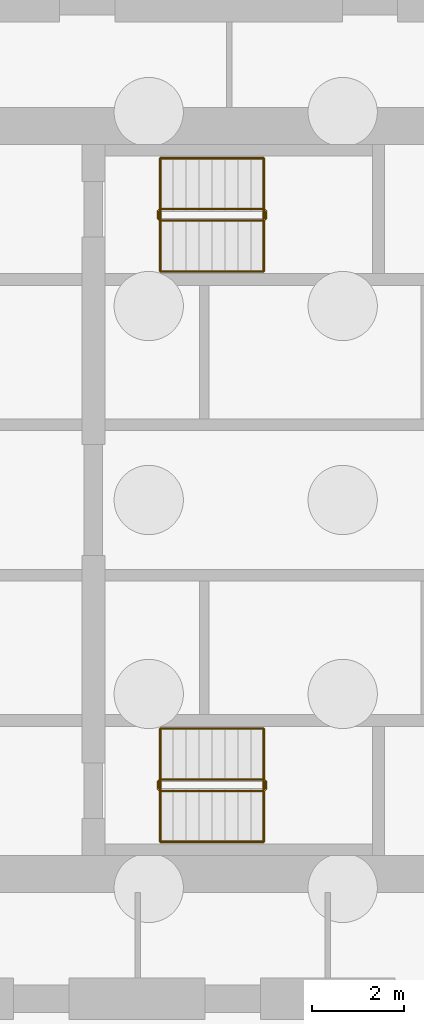
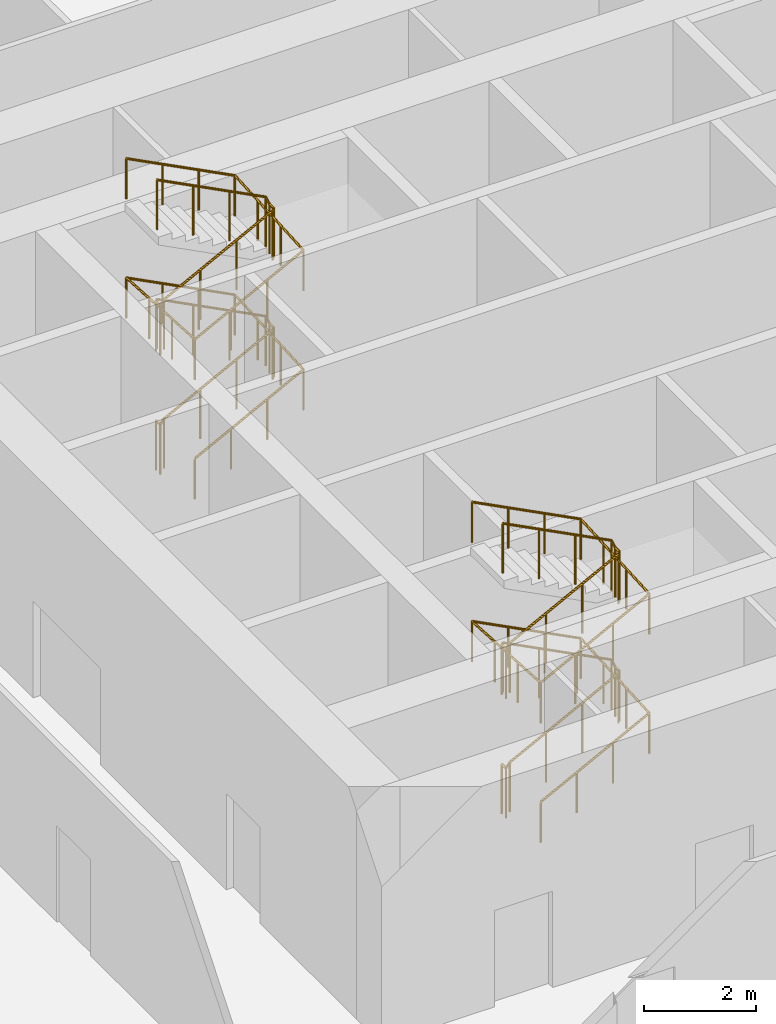
# One storey, part 6 of 6: 4 railings.
"""IFC4 building model written with IfcOpenShell, lengths in metres."""

from ifc_helpers import new_model, si_unit, direction, frame, origin, origin_2d, place, context, subcontext, project, spatial, circle, extrude, material, type_object, element, save


model = new_model("IFC4")

# Units and contexts
model_context = context("Model", 3, precision=1e-05, world=origin(), true_north=direction((0.0, 1.0)))
body_context = subcontext(model_context, "Body", "Model", "MODEL_VIEW")
ifc_project = project(units=[si_unit("LENGTHUNIT", "METRE"), si_unit("AREAUNIT", "SQUARE_METRE"), si_unit("VOLUMEUNIT", "CUBIC_METRE"), si_unit("PLANEANGLEUNIT", "RADIAN"), si_unit("MASSUNIT", "GRAM", prefix="KILO")], contexts=[model_context])

# Site, building, storey
site_placement = place(None, origin())
site = spatial("IfcSite", under=ifc_project, at=site_placement, CompositionType="ELEMENT")
building_placement = place(site_placement, origin())
building = spatial("IfcBuilding", under=site, at=building_placement, Name="Frailejon Research Tower", CompositionType="ELEMENT")
storey_placement = place(building_placement, frame((0.0, 0.0, -5.199951171875)))
storey = spatial("IfcBuildingStorey", under=building, at=storey_placement, Name="B1", CompositionType="ELEMENT", Elevation=-5.199951171875)

# Railings
ifc_material_1 = material(Name="Stainless steel", Category="steel")
railing_type_1 = type_object("IfcRailingType", Name="Stair guard 1100", PredefinedType="GUARDRAIL", material=ifc_material_1)
railing_1_placement = place(storey_placement, frame((-8.199951171875, 6.25, 0.0)))
element("IfcRailing", 1, at=railing_1_placement, inside=storey, type_object=railing_type_1, Name="B1 ST1 stair guard 1", PredefinedType="GUARDRAIL", context=body_context, shape_type="SweptSolid", body=[
    extrude(circle(Radius=0.02392578125, at=origin_2d()), frame((0.0, 0.0, 1.076171875), z_axis=(0.0, -1.0, 0.0), x_axis=(1.0, 0.0, 0.0)), (0.0, 0.0, 1.0), 0.14990234375),
    extrude(circle(Radius=0.02392578125, at=origin_2d()), frame((0.0, -0.14990234375, 1.076171875), z_axis=(0.311418193813, -0.311418193813, 0.897795866066), x_axis=(0.707106781187, 0.707106781187, 0.0)), (0.0, 0.0, 1.0), 0.16064453125),
    extrude(circle(Radius=0.02392578125, at=origin_2d()), frame((0.050048828125, -0.199951171875, 1.22021484375), z_axis=(0.888679226681, 0.0, 0.458529423336), x_axis=(0.0, 1.0, 0.0)), (0.0, 0.0, 1.0), 2.5205078125),
    extrude(circle(Radius=0.02392578125, at=origin_2d()), frame((2.2900390625, -0.199951171875, 2.3759765625), z_axis=(0.705375805398, 0.708833529934, 0.0), x_axis=(-0.708833529934, 0.705375805398, 0.0)), (0.0, 0.0, 1.0), 0.070556640625),
    extrude(circle(Radius=0.02392578125, at=origin_2d()), frame((2.33984375, -0.14990234375, 2.3759765625), z_axis=(0.0, 1.0, 0.0), x_axis=(-1.0, 0.0, 0.0)), (0.0, 0.0, 1.0), 0.14990234375),
    extrude(circle(Radius=0.02392578125, at=origin_2d()), frame((2.33984375, 0.0, 2.3759765625), z_axis=(-0.310045433597, 0.311565264154, 0.898219859098), x_axis=(-0.708833529934, -0.705375805398, 0.0)), (0.0, 0.0, 1.0), 0.16064453125),
    extrude(circle(Radius=0.02392578125, at=origin_2d()), frame((2.2900390625, 0.050048828125, 2.5205078125), z_axis=(-0.888718693694, 0.0, 0.458452923951), x_axis=(0.0, -1.0, 0.0)), (0.0, 0.0, 1.0), 2.5205078125),
    extrude(circle(Radius=0.02392578125, at=origin_2d()), frame((0.050048828125, 0.050048828125, 3.67578125), z_axis=(-0.707106781187, -0.707106781187, 0.0), x_axis=(0.707106781187, -0.707106781187, 0.0)), (0.0, 0.0, 1.0), 0.07080078125),
    extrude(circle(Radius=0.02392578125, at=origin_2d()), frame((0.0, 0.0, 3.67578125), z_axis=(0.0, -1.0, 0.0), x_axis=(1.0, 0.0, 0.0)), (0.0, 0.0, 1.0), 0.14990234375),
    extrude(circle(Radius=0.02392578125, at=origin_2d()), frame((0.0, -0.14990234375, 3.67578125), z_axis=(0.310993974087, -0.310993974087, 0.898089915411), x_axis=(0.707106781187, 0.707106781187, 0.0)), (0.0, 0.0, 1.0), 0.160888671875),
    extrude(circle(Radius=0.02392578125, at=origin_2d()), frame((0.050048828125, -0.199951171875, 3.8203125), z_axis=(0.888718693694, 0.0, 0.458452923951), x_axis=(0.0, 1.0, 0.0)), (0.0, 0.0, 1.0), 2.5205078125),
    extrude(circle(Radius=0.02392578125, at=origin_2d()), frame((2.2900390625, -0.199951171875, 4.97607421875), z_axis=(0.705375805398, 0.708833529934, 0.0), x_axis=(-0.708833529934, 0.705375805398, 0.0)), (0.0, 0.0, 1.0), 0.070556640625),
    extrude(circle(Radius=0.02392578125, at=origin_2d()), frame((2.33984375, -0.14990234375, 4.97607421875), z_axis=(0.0, 1.0, 0.0), x_axis=(-1.0, 0.0, 0.0)), (0.0, 0.0, 1.0), 0.14990234375),
    extrude(circle(Radius=0.02392578125, at=origin_2d()), frame((2.33984375, 0.0, 4.97607421875), z_axis=(-0.309622685675, 0.311140443938, 0.898512891762), x_axis=(-0.708833529934, -0.705375805398, 0.0)), (0.0, 0.0, 1.0), 0.160888671875),
    extrude(circle(Radius=0.02392578125, at=origin_2d()), frame((2.2900390625, 0.050048828125, 5.12060546875), z_axis=(-0.888718693694, 0.0, 0.458452923951), x_axis=(0.0, -1.0, 0.0)), (0.0, 0.0, 1.0), 2.5205078125),
    extrude(circle(Radius=0.02099609375, at=origin_2d()), origin(), (0.0, 0.0, 1.0), 1.052001953125),
    extrude(circle(Radius=0.02099609375, at=origin_2d()), frame((0.0, -0.14990234375, 0.0)), (0.0, 0.0, 1.0), 1.052001953125),
    extrude(circle(Radius=0.02099609375, at=origin_2d()), frame((0.050048828125, -0.199951171875, 0.144287109375)), (0.0, 0.0, 1.0), 1.052001953125),
    extrude(circle(Radius=0.02099609375, at=origin_2d()), frame((0.796630859375, -0.199951171875, 0.529541015625)), (0.0, 0.0, 1.0), 1.052001953125),
    extrude(circle(Radius=0.02099609375, at=origin_2d()), frame((1.54345703125, -0.199951171875, 0.914794921875)), (0.0, 0.0, 1.0), 1.052001953125),
    extrude(circle(Radius=0.02099609375, at=origin_2d()), frame((2.2900390625, -0.199951171875, 1.300048828125)), (0.0, 0.0, 1.0), 1.052001953125),
    extrude(circle(Radius=0.02099609375, at=origin_2d()), frame((2.33984375, -0.14990234375, 1.300048828125)), (0.0, 0.0, 1.0), 1.052001953125),
    extrude(circle(Radius=0.02099609375, at=origin_2d()), frame((2.33984375, 0.0, 1.300048828125)), (0.0, 0.0, 1.0), 1.052001953125),
    extrude(circle(Radius=0.02099609375, at=origin_2d()), frame((2.2900390625, 0.050048828125, 1.4443359375)), (0.0, 0.0, 1.0), 1.052001953125),
    extrude(circle(Radius=0.02099609375, at=origin_2d()), frame((1.54345703125, 0.050048828125, 1.82958984375)), (0.0, 0.0, 1.0), 1.052001953125),
    extrude(circle(Radius=0.02099609375, at=origin_2d()), frame((0.796630859375, 0.050048828125, 2.214599609375)), (0.0, 0.0, 1.0), 1.052001953125),
    extrude(circle(Radius=0.02099609375, at=origin_2d()), frame((0.050048828125, 0.050048828125, 2.599853515625)), (0.0, 0.0, 1.0), 1.052001953125),
    extrude(circle(Radius=0.02099609375, at=origin_2d()), frame((0.0, 0.0, 2.599853515625)), (0.0, 0.0, 1.0), 1.052001953125),
    extrude(circle(Radius=0.02099609375, at=origin_2d()), frame((0.0, -0.14990234375, 2.599853515625)), (0.0, 0.0, 1.0), 1.052001953125),
    extrude(circle(Radius=0.02099609375, at=origin_2d()), frame((0.050048828125, -0.199951171875, 2.744384765625)), (0.0, 0.0, 1.0), 1.052001953125),
    extrude(circle(Radius=0.02099609375, at=origin_2d()), frame((0.796630859375, -0.199951171875, 3.129638671875)), (0.0, 0.0, 1.0), 1.052001953125),
    extrude(circle(Radius=0.02099609375, at=origin_2d()), frame((1.54345703125, -0.199951171875, 3.5146484375)), (0.0, 0.0, 1.0), 1.052001953125),
    extrude(circle(Radius=0.02099609375, at=origin_2d()), frame((2.2900390625, -0.199951171875, 3.89990234375)), (0.0, 0.0, 1.0), 1.052001953125),
    extrude(circle(Radius=0.02099609375, at=origin_2d()), frame((2.33984375, -0.14990234375, 3.89990234375)), (0.0, 0.0, 1.0), 1.052001953125),
    extrude(circle(Radius=0.02099609375, at=origin_2d()), frame((2.33984375, 0.0, 3.89990234375)), (0.0, 0.0, 1.0), 1.052001953125),
    extrude(circle(Radius=0.02099609375, at=origin_2d()), frame((2.2900390625, 0.050048828125, 4.04443359375)), (0.0, 0.0, 1.0), 1.052001953125),
    extrude(circle(Radius=0.02099609375, at=origin_2d()), frame((1.54345703125, 0.050048828125, 4.4296875)), (0.0, 0.0, 1.0), 1.052001953125),
    extrude(circle(Radius=0.02099609375, at=origin_2d()), frame((0.796630859375, 0.050048828125, 4.814697265625)), (0.0, 0.0, 1.0), 1.052001953125),
    extrude(circle(Radius=0.02099609375, at=origin_2d()), frame((0.050048828125, 0.050048828125, 5.199951171875)), (0.0, 0.0, 1.0), 1.052001953125),
])
railing_2_placement = place(storey_placement, frame((-8.199951171875, -6.10009765625, 0.0)))
element("IfcRailing", 2, at=railing_2_placement, inside=storey, type_object=railing_type_1, Name="B1 ST2 stair guard 1", PredefinedType="GUARDRAIL", context=body_context, shape_type="SweptSolid", body=[
    extrude(circle(Radius=0.02392578125, at=origin_2d()), frame((0.0, 0.0, 1.076171875), z_axis=(0.0, -1.0, 0.0), x_axis=(1.0, 0.0, 0.0)), (0.0, 0.0, 1.0), 0.14990234375),
    extrude(circle(Radius=0.02392578125, at=origin_2d()), frame((0.0, -0.14990234375, 1.076171875), z_axis=(0.311418193813, -0.311418193813, 0.897795866066), x_axis=(0.707106781187, 0.707106781187, 0.0)), (0.0, 0.0, 1.0), 0.16064453125),
    extrude(circle(Radius=0.02392578125, at=origin_2d()), frame((0.050048828125, -0.199951171875, 1.22021484375), z_axis=(0.888679226681, 0.0, 0.458529423336), x_axis=(0.0, 1.0, 0.0)), (0.0, 0.0, 1.0), 2.5205078125),
    extrude(circle(Radius=0.02392578125, at=origin_2d()), frame((2.2900390625, -0.199951171875, 2.3759765625), z_axis=(0.705375805398, 0.708833529934, 0.0), x_axis=(-0.708833529934, 0.705375805398, 0.0)), (0.0, 0.0, 1.0), 0.070556640625),
    extrude(circle(Radius=0.02392578125, at=origin_2d()), frame((2.33984375, -0.14990234375, 2.3759765625), z_axis=(0.0, 1.0, 0.0), x_axis=(-1.0, 0.0, 0.0)), (0.0, 0.0, 1.0), 0.14990234375),
    extrude(circle(Radius=0.02392578125, at=origin_2d()), frame((2.33984375, 0.0, 2.3759765625), z_axis=(-0.310045433597, 0.311565264154, 0.898219859098), x_axis=(-0.708833529934, -0.705375805398, 0.0)), (0.0, 0.0, 1.0), 0.16064453125),
    extrude(circle(Radius=0.02392578125, at=origin_2d()), frame((2.2900390625, 0.050048828125, 2.5205078125), z_axis=(-0.888718693694, 0.0, 0.458452923951), x_axis=(0.0, -1.0, 0.0)), (0.0, 0.0, 1.0), 2.5205078125),
    extrude(circle(Radius=0.02392578125, at=origin_2d()), frame((0.050048828125, 0.050048828125, 3.67578125), z_axis=(-0.707106781187, -0.707106781187, 0.0), x_axis=(0.707106781187, -0.707106781187, 0.0)), (0.0, 0.0, 1.0), 0.07080078125),
    extrude(circle(Radius=0.02392578125, at=origin_2d()), frame((0.0, 0.0, 3.67578125), z_axis=(0.0, -1.0, 0.0), x_axis=(1.0, 0.0, 0.0)), (0.0, 0.0, 1.0), 0.14990234375),
    extrude(circle(Radius=0.02392578125, at=origin_2d()), frame((0.0, -0.14990234375, 3.67578125), z_axis=(0.310993974087, -0.310993974087, 0.898089915411), x_axis=(0.707106781187, 0.707106781187, 0.0)), (0.0, 0.0, 1.0), 0.160888671875),
    extrude(circle(Radius=0.02392578125, at=origin_2d()), frame((0.050048828125, -0.199951171875, 3.8203125), z_axis=(0.888718693694, 0.0, 0.458452923951), x_axis=(0.0, 1.0, 0.0)), (0.0, 0.0, 1.0), 2.5205078125),
    extrude(circle(Radius=0.02392578125, at=origin_2d()), frame((2.2900390625, -0.199951171875, 4.97607421875), z_axis=(0.705375805398, 0.708833529934, 0.0), x_axis=(-0.708833529934, 0.705375805398, 0.0)), (0.0, 0.0, 1.0), 0.070556640625),
    extrude(circle(Radius=0.02392578125, at=origin_2d()), frame((2.33984375, -0.14990234375, 4.97607421875), z_axis=(0.0, 1.0, 0.0), x_axis=(-1.0, 0.0, 0.0)), (0.0, 0.0, 1.0), 0.14990234375),
    extrude(circle(Radius=0.02392578125, at=origin_2d()), frame((2.33984375, 0.0, 4.97607421875), z_axis=(-0.309622685675, 0.311140443938, 0.898512891762), x_axis=(-0.708833529934, -0.705375805398, 0.0)), (0.0, 0.0, 1.0), 0.160888671875),
    extrude(circle(Radius=0.02392578125, at=origin_2d()), frame((2.2900390625, 0.050048828125, 5.12060546875), z_axis=(-0.888718693694, 0.0, 0.458452923951), x_axis=(0.0, -1.0, 0.0)), (0.0, 0.0, 1.0), 2.5205078125),
    extrude(circle(Radius=0.02099609375, at=origin_2d()), origin(), (0.0, 0.0, 1.0), 1.052001953125),
    extrude(circle(Radius=0.02099609375, at=origin_2d()), frame((0.0, -0.14990234375, 0.0)), (0.0, 0.0, 1.0), 1.052001953125),
    extrude(circle(Radius=0.02099609375, at=origin_2d()), frame((0.050048828125, -0.199951171875, 0.144287109375)), (0.0, 0.0, 1.0), 1.052001953125),
    extrude(circle(Radius=0.02099609375, at=origin_2d()), frame((0.796630859375, -0.199951171875, 0.529541015625)), (0.0, 0.0, 1.0), 1.052001953125),
    extrude(circle(Radius=0.02099609375, at=origin_2d()), frame((1.54345703125, -0.199951171875, 0.914794921875)), (0.0, 0.0, 1.0), 1.052001953125),
    extrude(circle(Radius=0.02099609375, at=origin_2d()), frame((2.2900390625, -0.199951171875, 1.300048828125)), (0.0, 0.0, 1.0), 1.052001953125),
    extrude(circle(Radius=0.02099609375, at=origin_2d()), frame((2.33984375, -0.14990234375, 1.300048828125)), (0.0, 0.0, 1.0), 1.052001953125),
    extrude(circle(Radius=0.02099609375, at=origin_2d()), frame((2.33984375, 0.0, 1.300048828125)), (0.0, 0.0, 1.0), 1.052001953125),
    extrude(circle(Radius=0.02099609375, at=origin_2d()), frame((2.2900390625, 0.050048828125, 1.4443359375)), (0.0, 0.0, 1.0), 1.052001953125),
    extrude(circle(Radius=0.02099609375, at=origin_2d()), frame((1.54345703125, 0.050048828125, 1.82958984375)), (0.0, 0.0, 1.0), 1.052001953125),
    extrude(circle(Radius=0.02099609375, at=origin_2d()), frame((0.796630859375, 0.050048828125, 2.214599609375)), (0.0, 0.0, 1.0), 1.052001953125),
    extrude(circle(Radius=0.02099609375, at=origin_2d()), frame((0.050048828125, 0.050048828125, 2.599853515625)), (0.0, 0.0, 1.0), 1.052001953125),
    extrude(circle(Radius=0.02099609375, at=origin_2d()), frame((0.0, 0.0, 2.599853515625)), (0.0, 0.0, 1.0), 1.052001953125),
    extrude(circle(Radius=0.02099609375, at=origin_2d()), frame((0.0, -0.14990234375, 2.599853515625)), (0.0, 0.0, 1.0), 1.052001953125),
    extrude(circle(Radius=0.02099609375, at=origin_2d()), frame((0.050048828125, -0.199951171875, 2.744384765625)), (0.0, 0.0, 1.0), 1.052001953125),
    extrude(circle(Radius=0.02099609375, at=origin_2d()), frame((0.796630859375, -0.199951171875, 3.129638671875)), (0.0, 0.0, 1.0), 1.052001953125),
    extrude(circle(Radius=0.02099609375, at=origin_2d()), frame((1.54345703125, -0.199951171875, 3.5146484375)), (0.0, 0.0, 1.0), 1.052001953125),
    extrude(circle(Radius=0.02099609375, at=origin_2d()), frame((2.2900390625, -0.199951171875, 3.89990234375)), (0.0, 0.0, 1.0), 1.052001953125),
    extrude(circle(Radius=0.02099609375, at=origin_2d()), frame((2.33984375, -0.14990234375, 3.89990234375)), (0.0, 0.0, 1.0), 1.052001953125),
    extrude(circle(Radius=0.02099609375, at=origin_2d()), frame((2.33984375, 0.0, 3.89990234375)), (0.0, 0.0, 1.0), 1.052001953125),
    extrude(circle(Radius=0.02099609375, at=origin_2d()), frame((2.2900390625, 0.050048828125, 4.04443359375)), (0.0, 0.0, 1.0), 1.052001953125),
    extrude(circle(Radius=0.02099609375, at=origin_2d()), frame((1.54345703125, 0.050048828125, 4.4296875)), (0.0, 0.0, 1.0), 1.052001953125),
    extrude(circle(Radius=0.02099609375, at=origin_2d()), frame((0.796630859375, 0.050048828125, 4.814697265625)), (0.0, 0.0, 1.0), 1.052001953125),
    extrude(circle(Radius=0.02099609375, at=origin_2d()), frame((0.050048828125, 0.050048828125, 5.199951171875)), (0.0, 0.0, 1.0), 1.052001953125),
])
ifc_material_2 = material(Name="Stainless steel", Category="steel")
railing_type_2 = type_object("IfcRailingType", Name="Stair handrail 900", PredefinedType="HANDRAIL", material=ifc_material_2)
railing_3_placement = place(storey_placement, frame((-8.14990234375, 4.949951171875, 0.144287109375)))
element("IfcRailing", 3, at=railing_3_placement, inside=storey, type_object=railing_type_2, Name="B1 ST1 stair handrail 1", PredefinedType="HANDRAIL", context=body_context, shape_type="SweptSolid", body=[
    extrude(circle(Radius=0.02392578125, at=origin_2d()), frame((0.0, 0.0, 0.8759765625), z_axis=(0.888679226681, 0.0, 0.458529423336), x_axis=(0.0, 1.0, 0.0)), (0.0, 0.0, 1.0), 2.5205078125),
    extrude(circle(Radius=0.02392578125, at=origin_2d()), frame((2.239990234375, 0.0, 2.03173828125), z_axis=(0.0, 0.998270254356, 0.058792000032), x_axis=(-1.0, 0.0, 0.0)), (0.0, 0.0, 1.0), 2.4541015625),
    extrude(circle(Radius=0.02392578125, at=origin_2d()), frame((2.239990234375, 2.449951171875, 2.17578125), z_axis=(-0.888718693694, 0.0, 0.458452923951), x_axis=(0.0, -1.0, 0.0)), (0.0, 0.0, 1.0), 2.5205078125),
    extrude(circle(Radius=0.02392578125, at=origin_2d()), frame((0.0, 2.449951171875, 3.33154296875), z_axis=(0.0, -0.998264411024, 0.058891134163), x_axis=(1.0, 0.0, 0.0)), (0.0, 0.0, 1.0), 2.4541015625),
    extrude(circle(Radius=0.02392578125, at=origin_2d()), frame((0.0, 0.0, 3.47607421875), z_axis=(0.888718693694, 0.0, 0.458452923951), x_axis=(0.0, 1.0, 0.0)), (0.0, 0.0, 1.0), 2.5205078125),
    extrude(circle(Radius=0.02392578125, at=origin_2d()), frame((2.239990234375, 0.0, 4.63134765625), z_axis=(0.0, 0.998264411024, 0.058891134163), x_axis=(-1.0, 0.0, 0.0)), (0.0, 0.0, 1.0), 2.4541015625),
    extrude(circle(Radius=0.02392578125, at=origin_2d()), frame((2.239990234375, 2.449951171875, 4.77587890625), z_axis=(-0.888718693694, 0.0, 0.458452923951), x_axis=(0.0, -1.0, 0.0)), (0.0, 0.0, 1.0), 2.5205078125),
    extrude(circle(Radius=0.02099609375, at=origin_2d()), origin(), (0.0, 0.0, 1.0), 0.851806640625),
    extrude(circle(Radius=0.02099609375, at=origin_2d()), frame((0.74658203125, 0.0, 0.38525390625)), (0.0, 0.0, 1.0), 0.851806640625),
    extrude(circle(Radius=0.02099609375, at=origin_2d()), frame((1.493408203125, 0.0, 0.7705078125)), (0.0, 0.0, 1.0), 0.851806640625),
    extrude(circle(Radius=0.02099609375, at=origin_2d()), frame((2.239990234375, 0.0, 1.15576171875)), (0.0, 0.0, 1.0), 0.851806640625),
    extrude(circle(Radius=0.02099609375, at=origin_2d()), frame((2.239990234375, 0.816650390625, 1.203857421875)), (0.0, 0.0, 1.0), 0.851806640625),
    extrude(circle(Radius=0.02099609375, at=origin_2d()), frame((2.239990234375, 1.63330078125, 1.251953125)), (0.0, 0.0, 1.0), 0.851806640625),
    extrude(circle(Radius=0.02099609375, at=origin_2d()), frame((2.239990234375, 2.449951171875, 1.300048828125)), (0.0, 0.0, 1.0), 0.851806640625),
    extrude(circle(Radius=0.02099609375, at=origin_2d()), frame((1.493408203125, 2.449951171875, 1.685302734375)), (0.0, 0.0, 1.0), 0.851806640625),
    extrude(circle(Radius=0.02099609375, at=origin_2d()), frame((0.74658203125, 2.449951171875, 2.0703125)), (0.0, 0.0, 1.0), 0.851806640625),
    extrude(circle(Radius=0.02099609375, at=origin_2d()), frame((0.0, 2.449951171875, 2.45556640625)), (0.0, 0.0, 1.0), 0.851806640625),
    extrude(circle(Radius=0.02099609375, at=origin_2d()), frame((0.0, 1.63330078125, 2.503662109375)), (0.0, 0.0, 1.0), 0.851806640625),
    extrude(circle(Radius=0.02099609375, at=origin_2d()), frame((0.0, 0.816650390625, 2.552001953125)), (0.0, 0.0, 1.0), 0.851806640625),
    extrude(circle(Radius=0.02099609375, at=origin_2d()), frame((0.0, 0.0, 2.60009765625)), (0.0, 0.0, 1.0), 0.851806640625),
    extrude(circle(Radius=0.02099609375, at=origin_2d()), frame((0.74658203125, 0.0, 2.9853515625)), (0.0, 0.0, 1.0), 0.851806640625),
    extrude(circle(Radius=0.02099609375, at=origin_2d()), frame((1.493408203125, 0.0, 3.370361328125)), (0.0, 0.0, 1.0), 0.851806640625),
    extrude(circle(Radius=0.02099609375, at=origin_2d()), frame((2.239990234375, 0.0, 3.755615234375)), (0.0, 0.0, 1.0), 0.851806640625),
    extrude(circle(Radius=0.02099609375, at=origin_2d()), frame((2.239990234375, 0.816650390625, 3.8037109375)), (0.0, 0.0, 1.0), 0.851806640625),
    extrude(circle(Radius=0.02099609375, at=origin_2d()), frame((2.239990234375, 1.63330078125, 3.85205078125)), (0.0, 0.0, 1.0), 0.851806640625),
    extrude(circle(Radius=0.02099609375, at=origin_2d()), frame((2.239990234375, 2.449951171875, 3.900146484375)), (0.0, 0.0, 1.0), 0.851806640625),
    extrude(circle(Radius=0.02099609375, at=origin_2d()), frame((1.493408203125, 2.449951171875, 4.285400390625)), (0.0, 0.0, 1.0), 0.851806640625),
    extrude(circle(Radius=0.02099609375, at=origin_2d()), frame((0.74658203125, 2.449951171875, 4.67041015625)), (0.0, 0.0, 1.0), 0.851806640625),
    extrude(circle(Radius=0.02099609375, at=origin_2d()), frame((0.0, 2.449951171875, 5.0556640625)), (0.0, 0.0, 1.0), 0.851806640625),
])
railing_4_placement = place(storey_placement, frame((-8.14990234375, -7.39990234375, 0.144287109375)))
element("IfcRailing", 4, at=railing_4_placement, inside=storey, type_object=railing_type_2, Name="B1 ST2 stair handrail 1", PredefinedType="HANDRAIL", context=body_context, shape_type="SweptSolid", body=[
    extrude(circle(Radius=0.02392578125, at=origin_2d()), frame((0.0, 0.0, 0.8759765625), z_axis=(0.888679226681, 0.0, 0.458529423336), x_axis=(0.0, 1.0, 0.0)), (0.0, 0.0, 1.0), 2.5205078125),
    extrude(circle(Radius=0.02392578125, at=origin_2d()), frame((2.239990234375, 0.0, 2.03173828125), z_axis=(0.0, 0.998270254356, 0.058792000032), x_axis=(-1.0, 0.0, 0.0)), (0.0, 0.0, 1.0), 2.4541015625),
    extrude(circle(Radius=0.02392578125, at=origin_2d()), frame((2.239990234375, 2.449951171875, 2.17578125), z_axis=(-0.888718693694, 0.0, 0.458452923951), x_axis=(0.0, -1.0, 0.0)), (0.0, 0.0, 1.0), 2.5205078125),
    extrude(circle(Radius=0.02392578125, at=origin_2d()), frame((0.0, 2.449951171875, 3.33154296875), z_axis=(0.0, -0.998264411024, 0.058891134163), x_axis=(1.0, 0.0, 0.0)), (0.0, 0.0, 1.0), 2.4541015625),
    extrude(circle(Radius=0.02392578125, at=origin_2d()), frame((0.0, 0.0, 3.47607421875), z_axis=(0.888718693694, 0.0, 0.458452923951), x_axis=(0.0, 1.0, 0.0)), (0.0, 0.0, 1.0), 2.5205078125),
    extrude(circle(Radius=0.02392578125, at=origin_2d()), frame((2.239990234375, 0.0, 4.63134765625), z_axis=(0.0, 0.998264411024, 0.058891134163), x_axis=(-1.0, 0.0, 0.0)), (0.0, 0.0, 1.0), 2.4541015625),
    extrude(circle(Radius=0.02392578125, at=origin_2d()), frame((2.239990234375, 2.449951171875, 4.77587890625), z_axis=(-0.888718693694, 0.0, 0.458452923951), x_axis=(0.0, -1.0, 0.0)), (0.0, 0.0, 1.0), 2.5205078125),
    extrude(circle(Radius=0.02099609375, at=origin_2d()), origin(), (0.0, 0.0, 1.0), 0.851806640625),
    extrude(circle(Radius=0.02099609375, at=origin_2d()), frame((0.74658203125, 0.0, 0.38525390625)), (0.0, 0.0, 1.0), 0.851806640625),
    extrude(circle(Radius=0.02099609375, at=origin_2d()), frame((1.493408203125, 0.0, 0.7705078125)), (0.0, 0.0, 1.0), 0.851806640625),
    extrude(circle(Radius=0.02099609375, at=origin_2d()), frame((2.239990234375, 0.0, 1.15576171875)), (0.0, 0.0, 1.0), 0.851806640625),
    extrude(circle(Radius=0.02099609375, at=origin_2d()), frame((2.239990234375, 0.816650390625, 1.203857421875)), (0.0, 0.0, 1.0), 0.851806640625),
    extrude(circle(Radius=0.02099609375, at=origin_2d()), frame((2.239990234375, 1.63330078125, 1.251953125)), (0.0, 0.0, 1.0), 0.851806640625),
    extrude(circle(Radius=0.02099609375, at=origin_2d()), frame((2.239990234375, 2.449951171875, 1.300048828125)), (0.0, 0.0, 1.0), 0.851806640625),
    extrude(circle(Radius=0.02099609375, at=origin_2d()), frame((1.493408203125, 2.449951171875, 1.685302734375)), (0.0, 0.0, 1.0), 0.851806640625),
    extrude(circle(Radius=0.02099609375, at=origin_2d()), frame((0.74658203125, 2.449951171875, 2.0703125)), (0.0, 0.0, 1.0), 0.851806640625),
    extrude(circle(Radius=0.02099609375, at=origin_2d()), frame((0.0, 2.449951171875, 2.45556640625)), (0.0, 0.0, 1.0), 0.851806640625),
    extrude(circle(Radius=0.02099609375, at=origin_2d()), frame((0.0, 1.63330078125, 2.503662109375)), (0.0, 0.0, 1.0), 0.851806640625),
    extrude(circle(Radius=0.02099609375, at=origin_2d()), frame((0.0, 0.816650390625, 2.552001953125)), (0.0, 0.0, 1.0), 0.851806640625),
    extrude(circle(Radius=0.02099609375, at=origin_2d()), frame((0.0, 0.0, 2.60009765625)), (0.0, 0.0, 1.0), 0.851806640625),
    extrude(circle(Radius=0.02099609375, at=origin_2d()), frame((0.74658203125, 0.0, 2.9853515625)), (0.0, 0.0, 1.0), 0.851806640625),
    extrude(circle(Radius=0.02099609375, at=origin_2d()), frame((1.493408203125, 0.0, 3.370361328125)), (0.0, 0.0, 1.0), 0.851806640625),
    extrude(circle(Radius=0.02099609375, at=origin_2d()), frame((2.239990234375, 0.0, 3.755615234375)), (0.0, 0.0, 1.0), 0.851806640625),
    extrude(circle(Radius=0.02099609375, at=origin_2d()), frame((2.239990234375, 0.816650390625, 3.8037109375)), (0.0, 0.0, 1.0), 0.851806640625),
    extrude(circle(Radius=0.02099609375, at=origin_2d()), frame((2.239990234375, 1.63330078125, 3.85205078125)), (0.0, 0.0, 1.0), 0.851806640625),
    extrude(circle(Radius=0.02099609375, at=origin_2d()), frame((2.239990234375, 2.449951171875, 3.900146484375)), (0.0, 0.0, 1.0), 0.851806640625),
    extrude(circle(Radius=0.02099609375, at=origin_2d()), frame((1.493408203125, 2.449951171875, 4.285400390625)), (0.0, 0.0, 1.0), 0.851806640625),
    extrude(circle(Radius=0.02099609375, at=origin_2d()), frame((0.74658203125, 2.449951171875, 4.67041015625)), (0.0, 0.0, 1.0), 0.851806640625),
    extrude(circle(Radius=0.02099609375, at=origin_2d()), frame((0.0, 2.449951171875, 5.0556640625)), (0.0, 0.0, 1.0), 0.851806640625),
])

save(model, "model.ifc")
